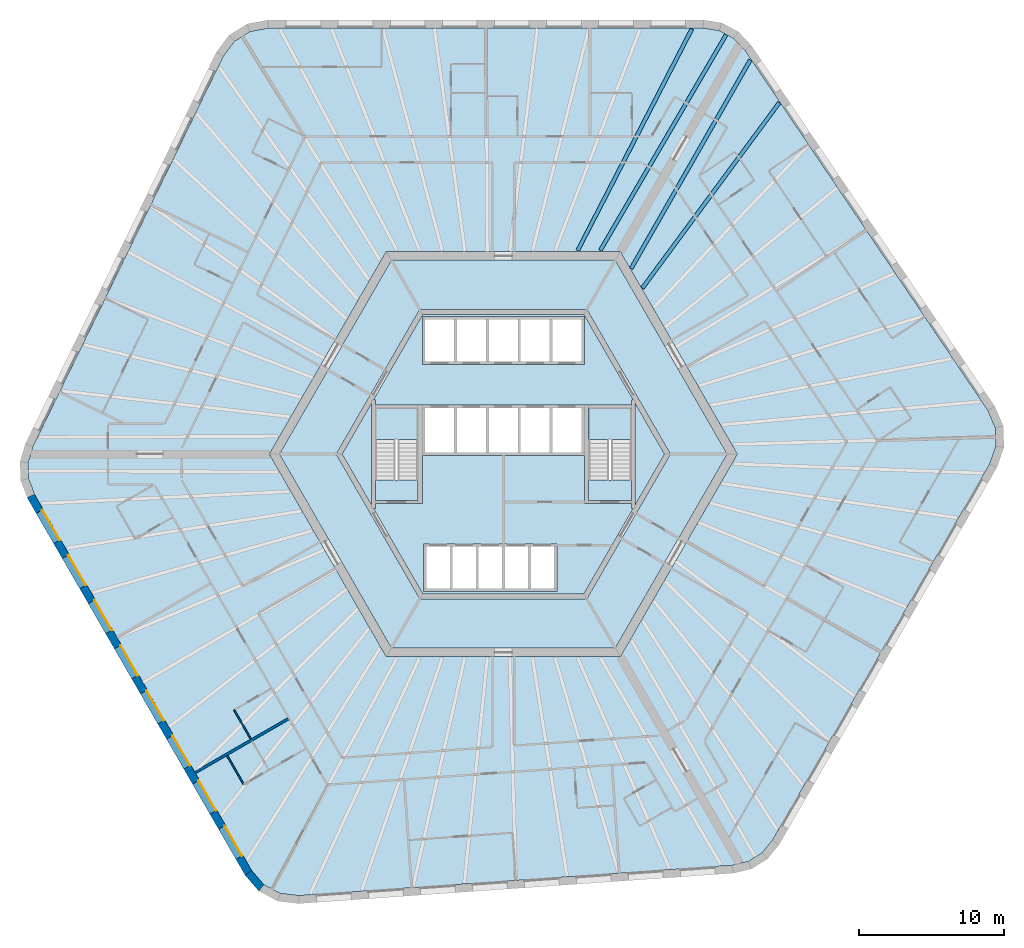
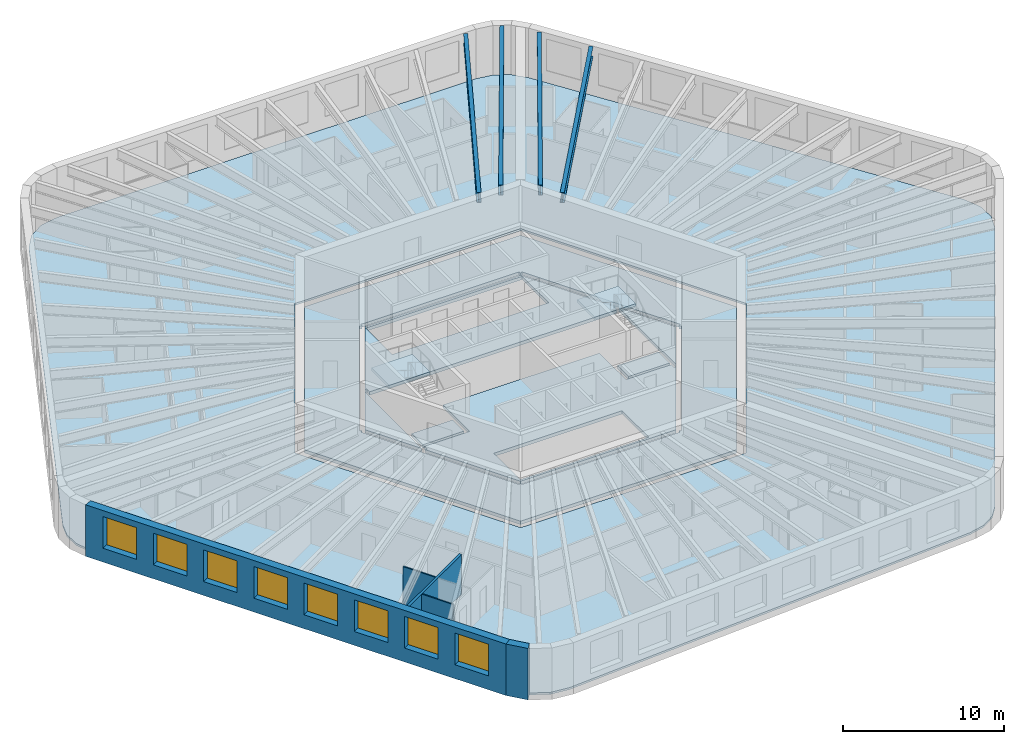
# One storey, part 2 of 12: 10 slabs, 8 windows, 5 walls, 4 beams, 8 openings, 2 elements without a shape of their own.
"""IFC4 building model written with IfcOpenShell, lengths in metres."""

from ifc_helpers import new_model, si_unit, direction, frame, frame_2d, origin, origin_2d, place, context, subcontext, project, spatial, polyline, rectangle, i_section, outline, extrude, material, layer, layer_set, material_profile, profile_set, type_object, element, fill, aggregate, save


model = new_model("IFC4")

# Units and contexts
model_context = context("Model", 3, precision=1e-05, world=origin(), true_north=direction((0.0, 1.0)))
body_context = subcontext(model_context, "Body", "Model", "MODEL_VIEW")
ifc_project = project(units=[si_unit("LENGTHUNIT", "METRE"), si_unit("AREAUNIT", "SQUARE_METRE"), si_unit("VOLUMEUNIT", "CUBIC_METRE"), si_unit("PLANEANGLEUNIT", "RADIAN"), si_unit("MASSUNIT", "GRAM", prefix="KILO")], contexts=[model_context])

# Site, building, storey
site_placement = place(None, origin())
site = spatial("IfcSite", under=ifc_project, at=site_placement, CompositionType="ELEMENT")
building_placement = place(site_placement, origin())
building = spatial("IfcBuilding", under=site, at=building_placement, Name="Tarnside Tower", CompositionType="ELEMENT")
storey_placement = place(building_placement, frame((0.0, 0.0, 115.5)))
storey = spatial("IfcBuildingStorey", under=building, at=storey_placement, Name="L26", CompositionType="ELEMENT", Elevation=115.5)

# Beams
ifc_material_1 = material(Name="Steel S355", Category="steel")
ifc_material_profile = material_profile(ifc_material_1, i_section(OverallWidth=0.2666015625, OverallDepth=0.76220703125, WebThickness=0.014404296875, FlangeThickness=0.021484375, FilletRadius=0.0166015625, at=origin_2d()), Name="UB 762x267x173")
ifc_profile_set = profile_set([ifc_material_profile], Name="Steel S355")
beam_type = type_object("IfcBeamType", Name="Floor beam UB 762x267x173", PredefinedType="BEAM", material=ifc_profile_set)
beam_1_placement = place(storey_placement, frame((13.0283203125, 29.37890625, 3.368896484375), z_axis=(-0.457973226459, -0.888965985765, 0.0), x_axis=(0.888965985765, -0.457973226459, 0.0)))
element("IfcBeam", 1, at=beam_1_placement, inside=storey, type_object=beam_type, Name="Floor beam F1.01", PredefinedType="BEAM", context=body_context, shape_type="SweptSolid", body=[
    extrude(i_section(OverallWidth=0.2666015625, OverallDepth=0.76220703125, WebThickness=0.014404296875, FlangeThickness=0.021484375, FilletRadius=0.0166015625, at=origin_2d()), origin(), (0.0, 0.0, 1.0), 17.219970703125),
])
beam_2_placement = place(storey_placement, frame((19.072021484375, 24.28857421875, 3.368896484375), z_axis=(-0.593986893499, -0.804474717037, 0.0), x_axis=(0.804474717037, -0.593986893499, 0.0)))
element("IfcBeam", 2, at=beam_2_placement, inside=storey, type_object=beam_type, Name="Floor beam F6.08", PredefinedType="BEAM", context=body_context, shape_type="SweptSolid", body=[
    extrude(i_section(OverallWidth=0.2666015625, OverallDepth=0.76220703125, WebThickness=0.014404296875, FlangeThickness=0.021484375, FilletRadius=0.0166015625, at=origin_2d()), origin(), (0.0, 0.0, 1.0), 15.934326171875),
])
beam_3_placement = place(storey_placement, frame((17.066162109375, 27.235107421875, 3.368896484375), z_axis=(-0.49622611841, -0.868193319145, 0.0), x_axis=(0.868193319145, -0.49622611841, 0.0)))
element("IfcBeam", 3, at=beam_3_placement, inside=storey, type_object=beam_type, Name="Floor beam F6.09", PredefinedType="BEAM", context=body_context, shape_type="SweptSolid", body=[
    extrude(i_section(OverallWidth=0.2666015625, OverallDepth=0.76220703125, WebThickness=0.014404296875, FlangeThickness=0.021484375, FilletRadius=0.0166015625, at=origin_2d()), origin(), (0.0, 0.0, 1.0), 16.586669921875),
])
beam_4_placement = place(storey_placement, frame((15.4013671875, 28.990478515625, 3.368896484375), z_axis=(-0.503858723096, -0.863786077198, 0.0), x_axis=(0.863786077198, -0.503858723096, 0.0)))
element("IfcBeam", 4, at=beam_4_placement, inside=storey, type_object=beam_type, Name="Floor beam C6", PredefinedType="BEAM", context=body_context, shape_type="SweptSolid", body=[
    extrude(i_section(OverallWidth=0.2666015625, OverallDepth=0.76220703125, WebThickness=0.014404296875, FlangeThickness=0.021484375, FilletRadius=0.0166015625, at=origin_2d()), origin(), (0.0, 0.0, 1.0), 17.2744140625),
])

# Slabs
ifc_material_2 = material(Name="Concrete C35/45", Category="concrete")
ifc_layer_1 = layer(ifc_material_2, 0.14990234375)
ifc_layer_set_1 = layer_set([ifc_layer_1], Name="Composite floor slab 150")
slab_type_1 = type_object("IfcSlabType", Name="Composite floor slab 150", PredefinedType="FLOOR", material=ifc_layer_set_1)
slab_1_placement = place(storey_placement, frame((0.0, 0.0, -0.14990234375)))
element("IfcSlab", 5, at=slab_1_placement, inside=storey, type_object=slab_type_1, Name="Floor slab L26", PredefinedType="FLOOR", context=body_context, shape_type="SweptSolid", body=[
    extrude(outline(polyline([(14.927490234375, 29.264892578125), (15.91455078125, 28.740234375), (16.697265625, 27.91064453125), (33.48583984375, 3.0205078125), (34.001220703125, 1.825439453125), (34.0458984375, 0.55078125), (33.614990234375, -0.67724609375), (18.603515625, -26.677978515625), (17.880615234375, -27.56005859375), (16.9326171875, -28.15234375), (15.82275390625, -28.41552734375), (-14.127197265625, -30.509765625), (-15.419921875, -30.358642578125), (-16.5458984375, -29.760009765625), (-17.39404296875, -28.772705078125), (-32.405517578125, -2.772216796875), (-32.80810546875, -1.704833984375), (-32.846923828125, -0.587890625), (-32.52001953125, 0.5048828125), (-19.358642578125, 27.4892578125), (-18.58154296875, 28.533203125), (-17.5, 29.208984375), (-16.220947265625, 29.449951171875), (13.802001953125, 29.449951171875), (14.927490234375, 29.264892578125)]), holes=[polyline([(-16.165771484375, 0.0), (-8.0830078125, -14.0), (8.0830078125, -14.0), (16.165771484375, 0.0), (8.0830078125, 14.0), (-8.0830078125, 14.0), (-16.165771484375, 0.0)])]), origin(), (0.0, 0.0, 1.0), 0.14990234375),
])
ifc_material_3 = material(Name="Concrete C40/50", Category="concrete")
ifc_layer_2 = layer(ifc_material_3, 0.25)
ifc_layer_set_2 = layer_set([ifc_layer_2], Name="Core slab C40/50")
slab_type_2 = type_object("IfcSlabType", Name="Core slab C40/50", PredefinedType="FLOOR", material=ifc_layer_set_2)
slab_2_placement = place(storey_placement, frame((0.0, 0.0, -0.25)))
element("IfcSlab", 6, at=slab_2_placement, inside=storey, type_object=slab_type_2, Name="L26 core floor slab 1", PredefinedType="FLOOR", context=body_context, shape_type="SweptSolid", body=[
    extrude(outline(polyline([(-15.472900390625, 0.0), (-7.736572265625, 13.39990234375), (7.736572265625, 13.39990234375), (15.472900390625, 0.0), (7.736572265625, -13.39990234375), (-7.736572265625, -13.39990234375), (-15.472900390625, 0.0)]), holes=[polyline([(5.823974609375, -9.91259765625), (11.49658203125, -0.08740234375), (11.344970703125, 0.0), (11.49658203125, 0.08740234375), (5.823974609375, 9.91259765625), (5.672607421875, 9.824951171875), (5.672607421875, 10.0), (-5.672607421875, 10.0), (-5.672607421875, 9.824951171875), (-5.823974609375, 9.91259765625), (-11.49658203125, 0.08740234375), (-11.344970703125, 0.0), (-11.49658203125, -0.08740234375), (-5.823974609375, -9.91259765625), (-5.672607421875, -9.824951171875), (-5.672607421875, -10.0), (5.672607421875, -10.0), (5.672607421875, -9.824951171875), (5.823974609375, -9.91259765625)])]), origin(), (0.0, 0.0, 1.0), 0.25),
])
slab_3_placement = place(storey_placement, frame((0.0, 0.0, -0.25)))
element("IfcSlab", 7, at=slab_3_placement, inside=storey, type_object=slab_type_2, Name="L26 core floor slab 2", PredefinedType="FLOOR", context=body_context, shape_type="SweptSolid", body=[
    extrude(outline(polyline([(-8.97509765625, 3.7548828125), (-5.5712890625, 9.64990234375), (5.5712890625, 9.64990234375), (8.97509765625, 3.7548828125), (8.85009765625, 3.7548828125), (8.85009765625, 3.39990234375), (5.89990234375, 3.39990234375), (5.60009765625, 3.39990234375), (5.60009765625, 3.39990234375), (-5.60009765625, 3.39990234375), (-5.89990234375, 3.39990234375), (-8.85009765625, 3.39990234375), (-8.85009765625, 3.7548828125), (-8.97509765625, 3.7548828125)]), holes=[polyline([(-5.60009765625, 6.199951171875), (5.60009765625, 6.199951171875), (5.60009765625, 6.39990234375), (5.60009765625, 9.300048828125), (5.60009765625, 9.5), (-5.60009765625, 9.5), (-5.60009765625, 9.300048828125), (-5.60009765625, 6.39990234375), (-5.60009765625, 6.199951171875)])]), origin(), (0.0, 0.0, 1.0), 0.25),
])
slab_4_placement = place(storey_placement, frame((0.0, 0.0, -0.25)))
element("IfcSlab", 8, at=slab_4_placement, inside=storey, type_object=slab_type_2, Name="L26 core floor slab 3", PredefinedType="FLOOR", context=body_context, shape_type="SweptSolid", body=[
    extrude(outline(polyline([(5.60009765625, -3.39990234375), (5.89990234375, -3.39990234375), (8.85009765625, -3.39990234375), (8.85009765625, -3.7548828125), (8.97509765625, -3.7548828125), (5.5712890625, -9.64990234375), (-5.5712890625, -9.64990234375), (-8.97509765625, -3.7548828125), (-8.85009765625, -3.7548828125), (-8.85009765625, -3.39990234375), (-5.89990234375, -3.39990234375), (-5.60009765625, -3.39990234375), (-5.60009765625, -0.10009765625), (5.60009765625, -0.10009765625), (5.60009765625, -3.39990234375)]), holes=[polyline([(-5.5, -9.300048828125), (-5.5, -9.5), (3.699951171875, -9.5), (3.699951171875, -9.300048828125), (3.699951171875, -6.39990234375), (3.699951171875, -6.199951171875), (-5.5, -6.199951171875), (-5.5, -6.39990234375), (-5.5, -9.300048828125)])]), origin(), (0.0, 0.0, 1.0), 0.25),
])
slab_5_placement = place(storey_placement, frame((0.0, 0.0, -0.25)))
element("IfcSlab", 9, at=slab_5_placement, inside=storey, type_object=slab_type_2, Name="L26 core floor slab 4", PredefinedType="FLOOR", context=body_context, shape_type="SweptSolid", body=[
    extrude(outline(polyline([(-11.142822265625, 0.0), (-9.10009765625, 3.538330078125), (-9.10009765625, -3.538330078125), (-11.142822265625, 0.0)])), origin(), (0.0, 0.0, 1.0), 0.25),
])
slab_6_placement = place(storey_placement, frame((0.0, 0.0, -0.25)))
element("IfcSlab", 10, at=slab_6_placement, inside=storey, type_object=slab_type_2, Name="L26 core floor slab 5", PredefinedType="FLOOR", context=body_context, shape_type="SweptSolid", body=[
    extrude(outline(polyline([(-8.85009765625, -1.800048828125), (-5.89990234375, -1.800048828125), (-5.89990234375, -3.199951171875), (-8.85009765625, -3.199951171875), (-8.85009765625, -1.800048828125)])), origin(), (0.0, 0.0, 1.0), 0.25),
])
slab_7_placement = place(storey_placement, frame((0.0, 0.0, -0.25)))
element("IfcSlab", 11, at=slab_7_placement, inside=storey, type_object=slab_type_2, Name="L26 core floor slab 6", PredefinedType="FLOOR", context=body_context, shape_type="SweptSolid", body=[
    extrude(outline(polyline([(5.89990234375, -3.199951171875), (5.89990234375, -1.800048828125), (8.85009765625, -1.800048828125), (8.85009765625, -3.199951171875), (5.89990234375, -3.199951171875)])), origin(), (0.0, 0.0, 1.0), 0.25),
])
slab_8_placement = place(storey_placement, frame((0.0, 0.0, -0.25)))
element("IfcSlab", 12, at=slab_8_placement, inside=storey, type_object=slab_type_2, Name="L26 core floor slab 7", PredefinedType="FLOOR", context=body_context, shape_type="SweptSolid", body=[
    extrude(outline(polyline([(9.10009765625, -3.538330078125), (9.10009765625, 3.538330078125), (11.142822265625, 0.0), (9.10009765625, -3.538330078125)])), origin(), (0.0, 0.0, 1.0), 0.25),
])

# Stair, slab
stair_type = type_object("IfcStairType", Name="Exit stair 1400 clear", PredefinedType="HALF_TURN_STAIR", material=ifc_material_3)
stair_1_placement = place(storey_placement, origin())
stair_1 = element("IfcStair", 13, at=stair_1_placement, inside=storey, type_object=stair_type, Name="L26 Exit stair 1", PredefinedType="HALF_TURN_STAIR")
ifc_layer_3 = layer(ifc_material_3, 0.199951171875)
ifc_layer_set_3 = layer_set([ifc_layer_3], Name="Stair landing 200 C40/50")
slab_type_3 = type_object("IfcSlabType", Name="Stair landing 200 C40/50", PredefinedType="LANDING", material=ifc_layer_set_3)
slab_9_placement = place(storey_placement, frame((0.0, 0.0, 1.75)))
slab_9 = element("IfcSlab", 14, at=slab_9_placement, type_object=slab_type_3, Name="ST1 landing 1", PredefinedType="LANDING", context=body_context, shape_type="SweptSolid", body=[
    extrude(outline(polyline([(8.85009765625, 1.0), (8.85009765625, 3.199951171875), (5.89990234375, 3.199951171875), (5.89990234375, 1.0), (8.85009765625, 1.0)])), origin(), (0.0, 0.0, 1.0), 0.199951171875),
])
aggregate(stair_1, [slab_9])

stair_2_placement = place(storey_placement, origin())
stair_2 = element("IfcStair", 15, at=stair_2_placement, inside=storey, type_object=stair_type, Name="L26 Exit stair 2", PredefinedType="HALF_TURN_STAIR")
slab_10_placement = place(storey_placement, frame((0.0, 0.0, 1.75)))
slab_10 = element("IfcSlab", 16, at=slab_10_placement, type_object=slab_type_3, Name="ST2 landing 1", PredefinedType="LANDING", context=body_context, shape_type="SweptSolid", body=[
    extrude(outline(polyline([(-5.89990234375, 1.0), (-5.89990234375, 3.199951171875), (-8.85009765625, 3.199951171875), (-8.85009765625, 1.0), (-5.89990234375, 1.0)])), origin(), (0.0, 0.0, 1.0), 0.199951171875),
])
aggregate(stair_2, [slab_10])

# Walls
ifc_material_4 = material(Name="Gypsum board partition on steel studs", Category="steel")
ifc_layer_4 = layer(ifc_material_4, 0.10009765625)
ifc_layer_set_4 = layer_set([ifc_layer_4], Name="Bathroom wall 100")
wall_type_1 = type_object("IfcWallType", Name="Bathroom wall 100", PredefinedType="PARTITIONING", material=ifc_layer_set_4)
wall_1_placement = place(storey_placement, frame((-17.44677734375, -19.68115234375, 0.0), z_axis=(0.0, 0.0, 1.0), x_axis=(-0.500015210774, 0.866016621662, 0.0)))
element("IfcWall", 17, at=wall_1_placement, inside=storey, type_object=wall_type_1, Name="Bathroom wall 08104", PredefinedType="PARTITIONING", context=body_context, shape_type="SweptSolid", body=[
    extrude(rectangle(XDim=2.31005859375, YDim=0.10009765625, at=frame_2d((1.155029296875, 0.0))), origin(), (0.0, 0.0, 1.0), 2.98779296875),
])
ifc_layer_5 = layer(ifc_material_4, 0.179931640625)
ifc_layer_set_5 = layer_set([ifc_layer_5], Name="Demising wall 180 EI 60")
wall_type_2 = type_object("IfcWallType", Name="Demising wall 180 EI 60", PredefinedType="PARTITIONING", material=ifc_layer_set_5)
wall_2_placement = place(storey_placement, frame((-21.298828125, -22.00927734375, 0.0), z_axis=(0.0, 0.0, 1.0), x_axis=(0.866014745021, 0.500018461065, 0.0)))
element("IfcWall", 18, at=wall_2_placement, inside=storey, type_object=wall_type_2, Name="Demising wall 08106", PredefinedType="PARTITIONING", context=body_context, shape_type="SweptSolid", body=[
    extrude(rectangle(XDim=7.425048828125, YDim=0.179931640625, at=frame_2d((3.71240234375, 0.0))), origin(), (0.0, 0.0, 1.0), 2.98779296875),
])
ifc_layer_6 = layer(ifc_material_4, 0.10009765625)
ifc_layer_set_6 = layer_set([ifc_layer_6], Name="Partition 100")
wall_type_3 = type_object("IfcWallType", Name="Partition 100", PredefinedType="PARTITIONING", material=ifc_layer_set_6)
wall_3_placement = place(storey_placement, frame((-17.958740234375, -22.79443359375, 0.0), z_axis=(0.0, 0.0, 1.0), x_axis=(-0.500031020067, 0.8660074936, 0.0)))
element("IfcWall", 19, at=wall_3_placement, inside=storey, type_object=wall_type_3, Name="Partition wall 08111", PredefinedType="PARTITIONING", context=body_context, shape_type="SweptSolid", body=[
    extrude(rectangle(XDim=2.260009765625, YDim=0.10009765625, at=frame_2d((1.1298828125, 0.0))), origin(), (0.0, 0.0, 1.0), 2.98779296875),
])

# Wall, openings, windows
ifc_material_5 = material(Name="Facing brick", Category="masonry")
ifc_layer_7 = layer(ifc_material_5, 0.10205078125)
ifc_material_6 = material(Name="Concrete C60/75 precast", Category="concrete")
ifc_layer_8 = layer(ifc_material_6, 0.347900390625)
ifc_material_7 = material(Name="Mineral wool insulation")
ifc_layer_9 = layer(ifc_material_7, 0.10009765625)
ifc_layer_set_7 = layer_set([ifc_layer_7, ifc_layer_8, ifc_layer_9], Name="Tube wall 550 brick faced")
wall_type_4 = type_object("IfcWallType", Name="Tube wall 550 brick faced", PredefinedType="SOLIDWALL", material=ifc_layer_set_7)
wall_4_placement = place(storey_placement, frame((-32.65478515625, -2.89013671875, -0.14990234375), z_axis=(0.0, 0.0, 1.0), x_axis=(0.499997711317, -0.866026725152, 0.0)))
wall_4 = element("IfcWall", 20, at=wall_4_placement, inside=storey, type_object=wall_type_4, Name="Tube wall L26 F3 flush 08", PredefinedType="SOLIDWALL", context=body_context, shape_type="SweptSolid", body=[
    extrude(outline(polyline([(-0.0224609375, -0.27490234375), (30.0966796875, -0.27490234375), (30.04541015625, 0.27490234375), (0.0224609375, 0.27490234375), (-0.0224609375, -0.27490234375)])), origin(), (0.0, 0.0, 1.0), 3.89990234375),
])
opening_1_placement = place(wall_4_placement, frame((1.235595703125, 0.0, 1.050048828125)))
opening_1 = element("IfcOpeningElement", 21, at=opening_1_placement, cuts=wall_4, Name="Opening WH", PredefinedType="OPENING", context=body_context, shape_type="SweptSolid", body=[
    extrude(rectangle(XDim=2.39990234375, YDim=2.39990234375, at=frame_2d((1.199951171875, 1.199951171875))), frame((0.0, 0.28515625, 0.0), z_axis=(0.0, -1.0, 0.0), x_axis=(1.0, 0.0, 0.0)), (0.0, 0.0, 1.0), 0.570068359375),
])
opening_2_placement = place(wall_4_placement, frame((4.83544921875, 0.0, 1.050048828125)))
opening_2 = element("IfcOpeningElement", 22, at=opening_2_placement, cuts=wall_4, Name="Opening WH", PredefinedType="OPENING", context=body_context, shape_type="SweptSolid", body=[
    extrude(rectangle(XDim=2.39990234375, YDim=2.39990234375, at=frame_2d((1.199951171875, 1.199951171875))), frame((0.0, 0.28515625, 0.0), z_axis=(0.0, -1.0, 0.0), x_axis=(1.0, 0.0, 0.0)), (0.0, 0.0, 1.0), 0.570068359375),
])
opening_3_placement = place(wall_4_placement, frame((8.435546875, 0.0, 1.050048828125)))
opening_3 = element("IfcOpeningElement", 23, at=opening_3_placement, cuts=wall_4, Name="Opening WH", PredefinedType="OPENING", context=body_context, shape_type="SweptSolid", body=[
    extrude(rectangle(XDim=2.39990234375, YDim=2.39990234375, at=frame_2d((1.199951171875, 1.199951171875))), frame((0.0, 0.28515625, 0.0), z_axis=(0.0, -1.0, 0.0), x_axis=(1.0, 0.0, 0.0)), (0.0, 0.0, 1.0), 0.570068359375),
])
opening_4_placement = place(wall_4_placement, frame((12.035400390625, 0.0, 1.050048828125)))
opening_4 = element("IfcOpeningElement", 24, at=opening_4_placement, cuts=wall_4, Name="Opening WH", PredefinedType="OPENING", context=body_context, shape_type="SweptSolid", body=[
    extrude(rectangle(XDim=2.39990234375, YDim=2.39990234375, at=frame_2d((1.199951171875, 1.199951171875))), frame((0.0, 0.28515625, 0.0), z_axis=(0.0, -1.0, 0.0), x_axis=(1.0, 0.0, 0.0)), (0.0, 0.0, 1.0), 0.570068359375),
])
opening_5_placement = place(wall_4_placement, frame((15.635498046875, 0.0, 1.050048828125)))
opening_5 = element("IfcOpeningElement", 25, at=opening_5_placement, cuts=wall_4, Name="Opening WH", PredefinedType="OPENING", context=body_context, shape_type="SweptSolid", body=[
    extrude(rectangle(XDim=2.39990234375, YDim=2.39990234375, at=frame_2d((1.199951171875, 1.199951171875))), frame((0.0, 0.28515625, 0.0), z_axis=(0.0, -1.0, 0.0), x_axis=(1.0, 0.0, 0.0)), (0.0, 0.0, 1.0), 0.570068359375),
])
opening_6_placement = place(wall_4_placement, frame((19.235595703125, 0.0, 1.050048828125)))
opening_6 = element("IfcOpeningElement", 26, at=opening_6_placement, cuts=wall_4, Name="Opening WH", PredefinedType="OPENING", context=body_context, shape_type="SweptSolid", body=[
    extrude(rectangle(XDim=2.39990234375, YDim=2.39990234375, at=frame_2d((1.199951171875, 1.199951171875))), frame((0.0, 0.28515625, 0.0), z_axis=(0.0, -1.0, 0.0), x_axis=(1.0, 0.0, 0.0)), (0.0, 0.0, 1.0), 0.570068359375),
])
opening_7_placement = place(wall_4_placement, frame((22.83544921875, 0.0, 1.050048828125)))
opening_7 = element("IfcOpeningElement", 27, at=opening_7_placement, cuts=wall_4, Name="Opening WH", PredefinedType="OPENING", context=body_context, shape_type="SweptSolid", body=[
    extrude(rectangle(XDim=2.39990234375, YDim=2.39990234375, at=frame_2d((1.199951171875, 1.199951171875))), frame((0.0, 0.28515625, 0.0), z_axis=(0.0, -1.0, 0.0), x_axis=(1.0, 0.0, 0.0)), (0.0, 0.0, 1.0), 0.570068359375),
])
opening_8_placement = place(wall_4_placement, frame((26.435546875, 0.0, 1.050048828125)))
opening_8 = element("IfcOpeningElement", 28, at=opening_8_placement, cuts=wall_4, Name="Opening WH", PredefinedType="OPENING", context=body_context, shape_type="SweptSolid", body=[
    extrude(rectangle(XDim=2.39990234375, YDim=2.39990234375, at=frame_2d((1.199951171875, 1.199951171875))), frame((0.0, 0.28515625, 0.0), z_axis=(0.0, -1.0, 0.0), x_axis=(1.0, 0.0, 0.0)), (0.0, 0.0, 1.0), 0.570068359375),
])
ifc_material_8 = material(Name="Aluminium-framed double glazing", Category="aluminium")
window_type = type_object("IfcWindowType", Name="Hotel window 2400 x 2400", PartitioningType="DOUBLE_PANEL_VERTICAL", PredefinedType="WINDOW", material=ifc_material_8)
window_1_placement = place(opening_1_placement, frame((0.0, 0.205078125, 0.0)))
window_1 = element("IfcWindow", 29, at=window_1_placement, inside=storey, type_object=window_type, Name="E.WN.L26.F3.00", OverallHeight=2.39990234375, OverallWidth=2.39990234375, PartitioningType="DOUBLE_PANEL_VERTICAL", PredefinedType="WINDOW", context=body_context, shape_type="SweptSolid", body=[
    extrude(rectangle(XDim=2.39990234375, YDim=2.39990234375, at=frame_2d((1.199951171875, 1.199951171875))), frame((0.0, 0.030029296875, 0.0), z_axis=(0.0, -1.0, 0.0), x_axis=(1.0, 0.0, 0.0)), (0.0, 0.0, 1.0), 0.06005859375),
])
fill(opening_1, window_1)
window_2_placement = place(opening_2_placement, frame((0.0, 0.205078125, 0.0)))
window_2 = element("IfcWindow", 30, at=window_2_placement, inside=storey, type_object=window_type, Name="E.WN.L26.F3.01", OverallHeight=2.39990234375, OverallWidth=2.39990234375, PartitioningType="DOUBLE_PANEL_VERTICAL", PredefinedType="WINDOW", context=body_context, shape_type="SweptSolid", body=[
    extrude(rectangle(XDim=2.39990234375, YDim=2.39990234375, at=frame_2d((1.199951171875, 1.199951171875))), frame((0.0, 0.030029296875, 0.0), z_axis=(0.0, -1.0, 0.0), x_axis=(1.0, 0.0, 0.0)), (0.0, 0.0, 1.0), 0.06005859375),
])
fill(opening_2, window_2)
window_3_placement = place(opening_3_placement, frame((0.0, 0.205078125, 0.0)))
window_3 = element("IfcWindow", 31, at=window_3_placement, inside=storey, type_object=window_type, Name="E.WN.L26.F3.02", OverallHeight=2.39990234375, OverallWidth=2.39990234375, PartitioningType="DOUBLE_PANEL_VERTICAL", PredefinedType="WINDOW", context=body_context, shape_type="SweptSolid", body=[
    extrude(rectangle(XDim=2.39990234375, YDim=2.39990234375, at=frame_2d((1.199951171875, 1.199951171875))), frame((0.0, 0.030029296875, 0.0), z_axis=(0.0, -1.0, 0.0), x_axis=(1.0, 0.0, 0.0)), (0.0, 0.0, 1.0), 0.06005859375),
])
fill(opening_3, window_3)
window_4_placement = place(opening_4_placement, frame((0.0, 0.205078125, 0.0)))
window_4 = element("IfcWindow", 32, at=window_4_placement, inside=storey, type_object=window_type, Name="E.WN.L26.F3.03", OverallHeight=2.39990234375, OverallWidth=2.39990234375, PartitioningType="DOUBLE_PANEL_VERTICAL", PredefinedType="WINDOW", context=body_context, shape_type="SweptSolid", body=[
    extrude(rectangle(XDim=2.39990234375, YDim=2.39990234375, at=frame_2d((1.199951171875, 1.199951171875))), frame((0.0, 0.030029296875, 0.0), z_axis=(0.0, -1.0, 0.0), x_axis=(1.0, 0.0, 0.0)), (0.0, 0.0, 1.0), 0.06005859375),
])
fill(opening_4, window_4)
window_5_placement = place(opening_5_placement, frame((0.0, 0.205078125, 0.0)))
window_5 = element("IfcWindow", 33, at=window_5_placement, inside=storey, type_object=window_type, Name="E.WN.L26.F3.04", OverallHeight=2.39990234375, OverallWidth=2.39990234375, PartitioningType="DOUBLE_PANEL_VERTICAL", PredefinedType="WINDOW", context=body_context, shape_type="SweptSolid", body=[
    extrude(rectangle(XDim=2.39990234375, YDim=2.39990234375, at=frame_2d((1.199951171875, 1.199951171875))), frame((0.0, 0.030029296875, 0.0), z_axis=(0.0, -1.0, 0.0), x_axis=(1.0, 0.0, 0.0)), (0.0, 0.0, 1.0), 0.06005859375),
])
fill(opening_5, window_5)
window_6_placement = place(opening_6_placement, frame((0.0, 0.205078125, 0.0)))
window_6 = element("IfcWindow", 34, at=window_6_placement, inside=storey, type_object=window_type, Name="E.WN.L26.F3.05", OverallHeight=2.39990234375, OverallWidth=2.39990234375, PartitioningType="DOUBLE_PANEL_VERTICAL", PredefinedType="WINDOW", context=body_context, shape_type="SweptSolid", body=[
    extrude(rectangle(XDim=2.39990234375, YDim=2.39990234375, at=frame_2d((1.199951171875, 1.199951171875))), frame((0.0, 0.030029296875, 0.0), z_axis=(0.0, -1.0, 0.0), x_axis=(1.0, 0.0, 0.0)), (0.0, 0.0, 1.0), 0.06005859375),
])
fill(opening_6, window_6)
window_7_placement = place(opening_7_placement, frame((0.0, 0.205078125, 0.0)))
window_7 = element("IfcWindow", 35, at=window_7_placement, inside=storey, type_object=window_type, Name="E.WN.L26.F3.06", OverallHeight=2.39990234375, OverallWidth=2.39990234375, PartitioningType="DOUBLE_PANEL_VERTICAL", PredefinedType="WINDOW", context=body_context, shape_type="SweptSolid", body=[
    extrude(rectangle(XDim=2.39990234375, YDim=2.39990234375, at=frame_2d((1.199951171875, 1.199951171875))), frame((0.0, 0.030029296875, 0.0), z_axis=(0.0, -1.0, 0.0), x_axis=(1.0, 0.0, 0.0)), (0.0, 0.0, 1.0), 0.06005859375),
])
fill(opening_7, window_7)
window_8_placement = place(opening_8_placement, frame((0.0, 0.205078125, 0.0)))
window_8 = element("IfcWindow", 36, at=window_8_placement, inside=storey, type_object=window_type, Name="E.WN.L26.F3.07", OverallHeight=2.39990234375, OverallWidth=2.39990234375, PartitioningType="DOUBLE_PANEL_VERTICAL", PredefinedType="WINDOW", context=body_context, shape_type="SweptSolid", body=[
    extrude(rectangle(XDim=2.39990234375, YDim=2.39990234375, at=frame_2d((1.199951171875, 1.199951171875))), frame((0.0, 0.030029296875, 0.0), z_axis=(0.0, -1.0, 0.0), x_axis=(1.0, 0.0, 0.0)), (0.0, 0.0, 1.0), 0.06005859375),
])
fill(opening_8, window_8)

# Wall
wall_5_placement = place(storey_placement, frame((-17.619384765625, -28.932373046875, -0.14990234375), z_axis=(0.0, 0.0, 1.0), x_axis=(0.651621950847, -0.758543890078, 0.0)))
element("IfcWall", 37, at=wall_5_placement, inside=storey, type_object=wall_type_4, Name="Tube wall L26 F3 chord 09", PredefinedType="SOLIDWALL", context=body_context, shape_type="SweptSolid", body=[
    extrude(outline(polyline([(-0.025634765625, -0.27490234375), (1.430908203125, -0.27490234375), (1.327392578125, 0.27490234375), (0.025634765625, 0.27490234375), (-0.025634765625, -0.27490234375)])), origin(), (0.0, 0.0, 1.0), 3.89990234375),
])

save(model, "model.ifc")
